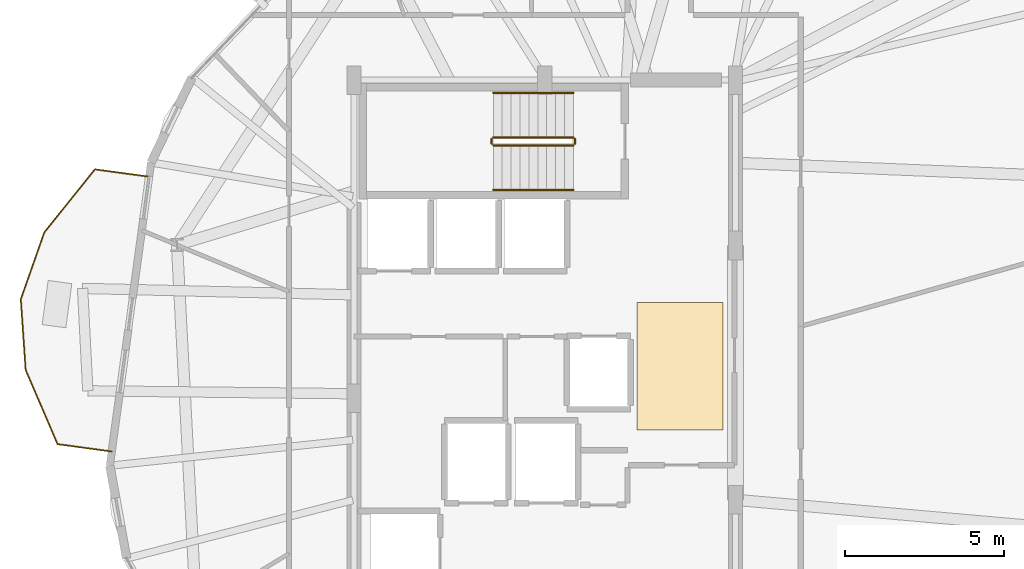
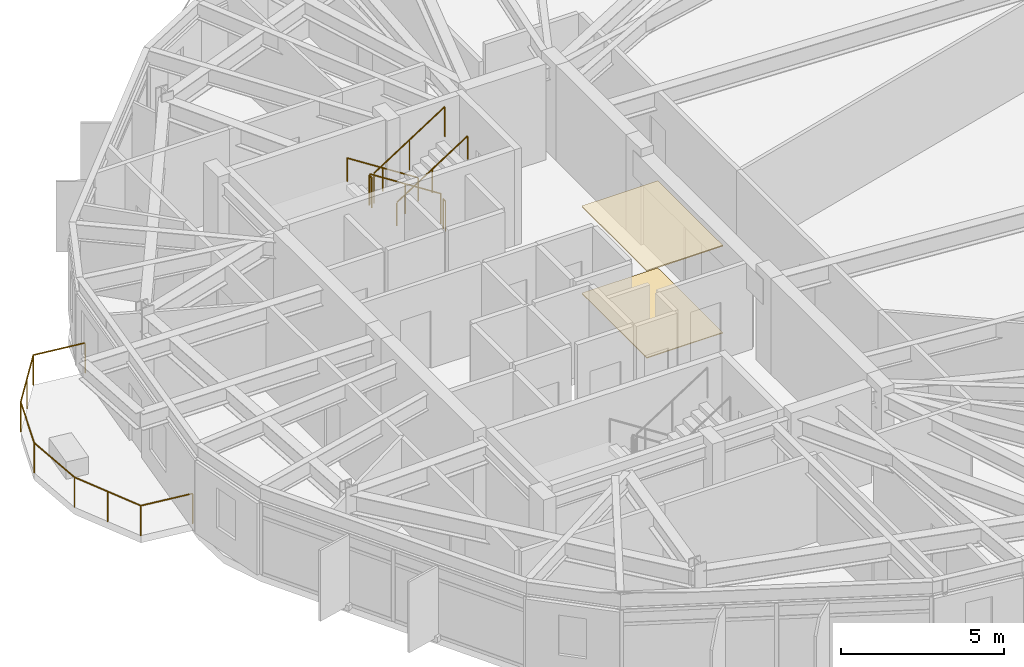
# One storey, part 26 of 27: 7 railings, 2 coverings.
"""IFC4 building model written with IfcOpenShell, lengths in metres."""

import ifcopenshell
import ifcopenshell.guid

model = None  # the IFC model being written
_history = None  # IfcOwnerHistory: only IFC2X3 demands one
_inside = {}  # id of a spatial element -> (the spatial element, [elements in it])
_under = {}  # id of a project, library or spatial element -> (it, [spatial elements below it])
_declared = {}  # id of a project -> (the project, [libraries it declares])
_typed = {}  # id of a type object -> (the type object, [elements of that type])
_made_of = {}  # id of a material, layer set ... -> (it, [elements and type objects made of it])


def new_model(schema):
    """Start an empty IFC model of exactly this schema.

    Asked for "IFC4X3", IfcOpenShell would pick the latest addendum, in which some entities
    have other attributes; the version numbers below select the first issue.
    IFC2X3 requires an IfcOwnerHistory on every rooted entity: one is made here for all.
    """
    global model, _history
    if schema == "IFC4X3":
        model = ifcopenshell.file(schema_version=(4, 3, 0, 0))
    else:
        model = ifcopenshell.file(schema=schema)
    _inside.clear()
    _under.clear()
    _declared.clear()
    _typed.clear()
    _made_of.clear()
    _history = None
    if model.schema == "IFC2X3":
        org = make("IfcOrganization", Name="unknown")
        user = make(
            "IfcPersonAndOrganization",
            ThePerson=make("IfcPerson", FamilyName="unknown"),
            TheOrganization=org,
        )
        app = make(
            "IfcApplication",
            ApplicationDeveloper=org,
            Version="unknown",
            ApplicationFullName="unknown",
            ApplicationIdentifier="unknown",
        )
        _history = make(
            "IfcOwnerHistory",
            OwningUser=user,
            OwningApplication=app,
            ChangeAction="ADDED",
            CreationDate=0,
        )
    return model


def make(cls, **values):
    """One entity of the class cls with the attributes given. An attribute that is None is left unset."""
    return model.create_entity(
        cls, **{name: value for name, value in values.items() if value is not None}
    )


def rooted(cls, **values):
    """An entity with a GlobalId (a new one), such as an element, a storey or a relation."""
    return make(cls, GlobalId=ifcopenshell.guid.new(), OwnerHistory=_history, **values)


def si_unit(unit_type, name, prefix=None):
    """IfcSIUnit, for example si_unit("LENGTHUNIT", "METRE", prefix="MILLI")."""
    return make("IfcSIUnit", UnitType=unit_type, Prefix=prefix, Name=name)


def assignment(units):
    """IfcUnitAssignment: the units of a project."""
    return None if units is None else make("IfcUnitAssignment", Units=units)


def point(xyz):
    """IfcCartesianPoint."""
    return None if xyz is None else make("IfcCartesianPoint", Coordinates=xyz)


def direction(xyz):
    """IfcDirection."""
    return None if xyz is None else make("IfcDirection", DirectionRatios=xyz)


def frame(location, z_axis=None, x_axis=None):
    """IfcAxis2Placement3D, a coordinate frame: its origin and axes. An axis left out is left unset."""
    return make(
        "IfcAxis2Placement3D",
        Location=point(location),
        Axis=direction(z_axis),
        RefDirection=direction(x_axis),
    )


def frame_2d(location, x_axis=None):
    """IfcAxis2Placement2D, a coordinate frame in the plane: its origin and x axis."""
    return make(
        "IfcAxis2Placement2D", Location=point(location), RefDirection=direction(x_axis)
    )


def origin():
    """The frame at (0, 0, 0) with its axes left unset."""
    return frame((0.0, 0.0, 0.0))


def origin_2d():
    """The frame at (0, 0) in the plane with its x axis left unset."""
    return frame_2d((0.0, 0.0))


def place(relative_to, where):
    """IfcLocalPlacement: puts the frame where relative to a parent placement (None: the world)."""
    return make(
        "IfcLocalPlacement", PlacementRelTo=relative_to, RelativePlacement=where
    )


def context(
    kind, dimensions, precision=None, world=None, true_north=None, identifier=None
):
    """IfcGeometricRepresentationContext, for example the 3D "Model" context."""
    return make(
        "IfcGeometricRepresentationContext",
        ContextIdentifier=identifier,
        ContextType=kind,
        CoordinateSpaceDimension=dimensions,
        Precision=precision,
        WorldCoordinateSystem=world,
        TrueNorth=true_north,
    )


def subcontext(parent, identifier, kind, view, scale=None):
    """IfcGeometricRepresentationSubContext, for example "Body" below "Model"."""
    return make(
        "IfcGeometricRepresentationSubContext",
        ContextIdentifier=identifier,
        ContextType=kind,
        ParentContext=parent,
        TargetScale=scale,
        TargetView=view,
    )


def project(units=None, contexts=None):
    """IfcProject with its units and contexts."""
    return rooted(
        "IfcProject",
        Name="project",
        RepresentationContexts=contexts,
        UnitsInContext=assignment(units),
    )


def spatial(cls, under=None, at=None, **own):
    """A site, building, storey or space (cls), placed at a placement, below another one or the project."""
    s = rooted(cls, ObjectPlacement=at, **own)
    if under is not None:
        _under.setdefault(under.id(), (under, []))[1].append(s)
    return s


def polyline(points):
    """IfcPolyline through the points."""
    return make("IfcPolyline", Points=[point(p) for p in points])


def profile(cls, at=None, kind="AREA", **sizes):
    """A parametric profile (cls). Its sizes go by their IFC names, for example OverallWidth=200.0."""
    return make(cls, ProfileType=kind, Position=at, **sizes)


def circle(**sizes):
    """IfcCircleProfileDef."""
    return profile("IfcCircleProfileDef", **sizes)


def outline(outer, holes=None, kind="AREA"):
    """IfcArbitraryClosedProfileDef: a profile drawn as a closed curve; with holes, ...WithVoids."""
    if holes is None:
        return make("IfcArbitraryClosedProfileDef", ProfileType=kind, OuterCurve=outer)
    return make(
        "IfcArbitraryProfileDefWithVoids",
        ProfileType=kind,
        OuterCurve=outer,
        InnerCurves=holes,
    )


def extrude(swept, where, along, depth):
    """IfcExtrudedAreaSolid: the profile swept, set in the frame where, extruded along a direction by depth."""
    return make(
        "IfcExtrudedAreaSolid",
        SweptArea=swept,
        Position=where,
        ExtrudedDirection=direction(along),
        Depth=depth,
    )


def shape(context_of_items, identifier, shape_type, items):
    """IfcShapeRepresentation: the items that make up one representation, for example the "Body"."""
    return make(
        "IfcShapeRepresentation",
        ContextOfItems=context_of_items,
        RepresentationIdentifier=identifier,
        RepresentationType=shape_type,
        Items=items,
    )


def material(Name=None, Category=None):
    """IfcMaterial."""
    return make("IfcMaterial", Name=Name, Category=Category)


def layer(
    of_material, thickness, ventilated=None, Name=None, Category=None, Priority=None
):
    """IfcMaterialLayer: one layer of a wall or slab, of a material (None: an air gap)."""
    return make(
        "IfcMaterialLayer",
        Material=of_material,
        LayerThickness=thickness,
        IsVentilated=ventilated,
        Name=Name,
        Category=Category,
        Priority=Priority,
    )


def layer_set(layers, Name=None):
    """IfcMaterialLayerSet."""
    return make("IfcMaterialLayerSet", MaterialLayers=layers, LayerSetName=Name)


def made_of(thing, what):
    """Note that an element or type object is made of a material, layer set ...; save() writes the relation."""
    if what is not None:
        _made_of.setdefault(what.id(), (what, []))[1].append(thing)
    return thing


def type_object(cls, material=None, **own):
    """A type object (cls), such as IfcWallType, which elements share."""
    return made_of(rooted(cls, **own), material)


def element(
    cls,
    number,
    at=None,
    inside=None,
    cuts=None,
    type_object=None,
    material=None,
    context=None,
    identifier="Body",
    shape_type=None,
    held_by="IfcProductDefinitionShape",
    body=None,
    shapes=None,
    **own,
):
    """One element of the class cls, such as IfcWall. Its Tag is "e" and its number.

    at: its placement. inside: the storey or other place that contains it. cuts: it is an
    opening in that element (IfcRelVoidsElement). A single representation is given by context,
    identifier, shape_type and body (its items); several are given by shapes. held_by: the class
    of the entity that holds the representations. save() writes the other relations.
    """
    e = rooted(cls, Tag="e%d" % number, ObjectPlacement=at, **own)
    if body is not None:
        shapes = [shape(context, identifier, shape_type, body)]
    if shapes is not None:
        e.Representation = make(held_by, Representations=shapes)
    if inside is not None:
        _inside.setdefault(inside.id(), (inside, []))[1].append(e)
    if cuts is not None:
        rooted(
            "IfcRelVoidsElement", RelatingBuildingElement=cuts, RelatedOpeningElement=e
        )
    if type_object is not None:
        _typed.setdefault(type_object.id(), (type_object, []))[1].append(e)
    return made_of(e, material)


def aggregate(whole, parts):
    """IfcRelAggregates: a whole, such as a stair, and the parts it consists of."""
    return rooted("IfcRelAggregates", RelatingObject=whole, RelatedObjects=parts)


def save(model, path):
    """Write the relations noted so far, then the file.

    IfcRelAggregates (storeys below a building ...), IfcRelContainedInSpatialStructure (elements
    in a storey), IfcRelDefinesByType, IfcRelAssociatesMaterial and IfcRelDeclares: one each for
    every whole, place, type object, material and project.
    """
    for whole, parts in _under.values():
        aggregate(whole, parts)
    for where, things in _inside.values():
        rooted(
            "IfcRelContainedInSpatialStructure",
            RelatedElements=things,
            RelatingStructure=where,
        )
    for kind, things in _typed.values():
        rooted("IfcRelDefinesByType", RelatedObjects=things, RelatingType=kind)
    for what, things in _made_of.values():
        rooted("IfcRelAssociatesMaterial", RelatedObjects=things, RelatingMaterial=what)
    for by, libraries in _declared.values():
        rooted("IfcRelDeclares", RelatingContext=by, RelatedDefinitions=libraries)
    model.write(path)


model = new_model("IFC4")

# Units and contexts
model_context = context("Model", 3, precision=1e-05, world=origin(), true_north=direction((0.0, 1.0)))
body_context = subcontext(model_context, "Body", "Model", "MODEL_VIEW")
ifc_project = project(units=[si_unit("LENGTHUNIT", "METRE"), si_unit("AREAUNIT", "SQUARE_METRE"), si_unit("VOLUMEUNIT", "CUBIC_METRE"), si_unit("PLANEANGLEUNIT", "RADIAN"), si_unit("MASSUNIT", "GRAM", prefix="KILO")], contexts=[model_context])

# Site, building, storey
site_placement = place(None, origin())
site = spatial("IfcSite", under=ifc_project, at=site_placement, CompositionType="ELEMENT")
building_placement = place(site_placement, origin())
building = spatial("IfcBuilding", under=site, at=building_placement, Name="Soratama Intermodal Tower", CompositionType="ELEMENT")
storey_placement = place(building_placement, frame((0.0, 0.0, 208.60009765625)))
storey = spatial("IfcBuildingStorey", under=building, at=storey_placement, Name="L52", CompositionType="ELEMENT", Elevation=208.60009765625)

# Coverings
ifc_material_1 = material(Name="Perforated mineral acoustic ceiling", Category="concrete")
ifc_layer_1 = layer(ifc_material_1, 0.0400390625)
ifc_layer_set_1 = layer_set([ifc_layer_1], Name="Perforated mineral acoustic ceiling")
covering_type_1 = type_object("IfcCoveringType", Name="CV-CEIL-ACOUSTIC", PredefinedType="CEILING", material=ifc_layer_set_1)
covering_1_placement = place(storey_placement, frame((0.0, 0.0, 3.260009765625)))
element("IfcCovering", 1, at=covering_1_placement, inside=storey, type_object=covering_type_1, Name="L52 Acoustic Ceiling", PredefinedType="CEILING", context=body_context, shape_type="SweptSolid", body=[
    extrude(outline(polyline([(41.5, 24.0), (44.199951171875, 24.0), (44.199951171875, 28.0), (41.5, 28.0), (41.5, 24.0)])), origin(), (0.0, 0.0, 1.0), 0.039794921875),
])
ifc_material_2 = material(Name="Polished Andean stone terrazzo flooring", Category="masonry")
ifc_layer_2 = layer(ifc_material_2, 0.030029296875)
ifc_layer_set_2 = layer_set([ifc_layer_2], Name="Polished Andean stone terrazzo flooring")
covering_type_2 = type_object("IfcCoveringType", Name="CV-FLOR-TERRAZZO", PredefinedType="FLOORING", material=ifc_layer_set_2)
covering_2_placement = place(storey_placement, origin())
element("IfcCovering", 2, at=covering_2_placement, inside=storey, type_object=covering_type_2, Name="L52 Lobby Terrazzo Flooring", PredefinedType="FLOORING", context=body_context, shape_type="SweptSolid", body=[
    extrude(outline(polyline([(41.5, 24.0), (44.199951171875, 24.0), (44.199951171875, 28.0), (41.5, 28.0), (41.5, 24.0)])), origin(), (0.0, 0.0, 1.0), 0.02978515625),
])

# Railings
ifc_material_3 = material(Name="Laminated glass and stainless steel balustrade", Category="steel")
railing_type_1 = type_object("IfcRailingType", Name="RL-BAL-1150", PredefinedType="BALUSTRADE", material=ifc_material_3)
railing_1_placement = place(storey_placement, frame((24.981201171875, 23.318603515625, 0.0)))
element("IfcRailing", 3, at=railing_1_placement, inside=storey, type_object=railing_type_1, Name="L52 Balcony Balustrade 3", PredefinedType="BALUSTRADE", context=body_context, shape_type="SweptSolid", body=[
    extrude(circle(Radius=0.02392578125, at=origin_2d()), frame((0.0, 0.0, 1.1259765625), z_axis=(-0.990883649297, 0.13472042739, 0.0), x_axis=(-0.13472042739, -0.990883649297, 0.0)), (0.0, 0.0, 1.0), 1.7197265625),
    extrude(circle(Radius=0.02392578125, at=origin_2d()), frame((-1.7041015625, 0.231689453125, 1.1259765625), z_axis=(-0.395088477602, 0.918643072617, 0.0), x_axis=(-0.918643072617, -0.395088477602, 0.0)), (0.0, 0.0, 1.0), 2.544677734375),
    extrude(circle(Radius=0.02392578125, at=origin_2d()), frame((-2.70947265625, 2.5693359375, 1.1259765625), z_axis=(-0.067865153543, 0.997694502809, 0.0), x_axis=(-0.997694502809, -0.067865153543, 0.0)), (0.0, 0.0, 1.0), 2.226806640625),
    extrude(circle(Radius=0.02392578125, at=origin_2d()), frame((-2.860595703125, 4.791015625, 1.1259765625), z_axis=(0.331678545525, 0.943392464693, 0.0), x_axis=(-0.943392464693, 0.331678545525, 0.0)), (0.0, 0.0, 1.0), 2.2265625),
    extrude(circle(Radius=0.02392578125, at=origin_2d()), frame((-2.1220703125, 6.8916015625, 1.1259765625), z_axis=(0.625911086254, 0.779894423691, 0.0), x_axis=(-0.779894423691, 0.625911086254, 0.0)), (0.0, 0.0, 1.0), 2.544677734375),
    extrude(circle(Radius=0.02392578125, at=origin_2d()), frame((-0.529296875, 8.876220703125, 1.1259765625), z_axis=(0.990905161174, -0.134562110413, 0.0), x_axis=(0.134562110413, 0.990905161174, 0.0)), (0.0, 0.0, 1.0), 1.719970703125),
    extrude(circle(Radius=0.02099609375, at=origin_2d()), origin(), (0.0, 0.0, 1.0), 1.101806640625),
    extrude(circle(Radius=0.02099609375, at=origin_2d()), frame((-1.7041015625, 0.231689453125, 0.0)), (0.0, 0.0, 1.0), 1.101806640625),
    extrude(circle(Radius=0.02099609375, at=origin_2d()), frame((-2.206787109375, 1.400390625, 0.0)), (0.0, 0.0, 1.0), 1.101806640625),
    extrude(circle(Radius=0.02099609375, at=origin_2d()), frame((-2.70947265625, 2.5693359375, 0.0)), (0.0, 0.0, 1.0), 1.101806640625),
    extrude(circle(Radius=0.02099609375, at=origin_2d()), frame((-2.860595703125, 4.791015625, 0.0)), (0.0, 0.0, 1.0), 1.101806640625),
    extrude(circle(Radius=0.02099609375, at=origin_2d()), frame((-2.1220703125, 6.8916015625, 0.0)), (0.0, 0.0, 1.0), 1.101806640625),
    extrude(circle(Radius=0.02099609375, at=origin_2d()), frame((-1.32568359375, 7.8837890625, 0.0)), (0.0, 0.0, 1.0), 1.101806640625),
    extrude(circle(Radius=0.02099609375, at=origin_2d()), frame((-0.529296875, 8.876220703125, 0.0)), (0.0, 0.0, 1.0), 1.101806640625),
    extrude(circle(Radius=0.02099609375, at=origin_2d()), frame((1.175048828125, 8.644775390625, 0.0)), (0.0, 0.0, 1.0), 1.101806640625),
])
ifc_material_4 = material(Name="Painted steel stair guardrail", Category="steel")
railing_type_2 = type_object("IfcRailingType", Name="RL-STAIR-GUARD", PredefinedType="GUARDRAIL", material=ifc_material_4)
railing_2_placement = place(storey_placement, frame((39.5, 33.199951171875, 0.179931640625)))
element("IfcRailing", 4, at=railing_2_placement, inside=storey, type_object=railing_type_2, Name="L52 ST-2 stair guard 1", PredefinedType="GUARDRAIL", context=body_context, shape_type="SweptSolid", body=[
    extrude(circle(Radius=0.02392578125, at=origin_2d()), frame((0.0, 0.0, 1.1259765625), z_axis=(-0.841199657755, 0.0, 0.540724639528), x_axis=(0.0, -1.0, 0.0)), (0.0, 0.0, 1.0), 2.995849609375),
    extrude(circle(Radius=0.02099609375, at=origin_2d()), origin(), (0.0, 0.0, 1.0), 1.101806640625),
    extrude(circle(Radius=0.02099609375, at=origin_2d()), frame((-1.260009765625, 0.0, 0.81005859375)), (0.0, 0.0, 1.0), 1.101806640625),
    extrude(circle(Radius=0.02099609375, at=origin_2d()), frame((-2.52001953125, 0.0, 1.619873046875)), (0.0, 0.0, 1.0), 1.101806640625),
])
railing_3_placement = place(storey_placement, frame((36.929931640625, 33.14990234375, 1.7998046875)))
element("IfcRailing", 5, at=railing_3_placement, inside=storey, type_object=railing_type_2, Name="L52 ST-2 stair guard 2", PredefinedType="GUARDRAIL", context=body_context, shape_type="SweptSolid", body=[
    extrude(circle(Radius=0.02392578125, at=origin_2d()), frame((0.0, 0.0, 1.1259765625), z_axis=(0.0, -1.0, 0.0), x_axis=(1.0, 0.0, 0.0)), (0.0, 0.0, 1.0), 0.14990234375),
    extrude(circle(Radius=0.02099609375, at=origin_2d()), origin(), (0.0, 0.0, 1.0), 1.101806640625),
    extrude(circle(Radius=0.02099609375, at=origin_2d()), frame((0.0, -0.14990234375, 0.0)), (0.0, 0.0, 1.0), 1.101806640625),
])
railing_4_placement = place(storey_placement, frame((36.97998046875, 32.949951171875, 1.97998046875)))
element("IfcRailing", 6, at=railing_4_placement, inside=storey, type_object=railing_type_2, Name="L52 ST-2 stair guard 3", PredefinedType="GUARDRAIL", context=body_context, shape_type="SweptSolid", body=[
    extrude(circle(Radius=0.02392578125, at=origin_2d()), frame((0.0, 0.0, 1.1259765625), z_axis=(0.841199657755, 0.0, 0.540724639528), x_axis=(0.0, 1.0, 0.0)), (0.0, 0.0, 1.0), 2.995849609375),
    extrude(circle(Radius=0.02099609375, at=origin_2d()), origin(), (0.0, 0.0, 1.0), 1.101806640625),
    extrude(circle(Radius=0.02099609375, at=origin_2d()), frame((1.260009765625, 0.0, 0.81005859375)), (0.0, 0.0, 1.0), 1.101806640625),
    extrude(circle(Radius=0.02099609375, at=origin_2d()), frame((2.52001953125, 0.0, 1.619873046875)), (0.0, 0.0, 1.0), 1.101806640625),
])
railing_5_placement = place(storey_placement, frame((39.550048828125, 33.14990234375, 0.0)))
element("IfcRailing", 7, at=railing_5_placement, inside=storey, type_object=railing_type_2, Name="L52 ST-2 stair guard 4", PredefinedType="GUARDRAIL", context=body_context, shape_type="SweptSolid", body=[
    extrude(circle(Radius=0.02392578125, at=origin_2d()), frame((0.0, 0.0, 1.1259765625), z_axis=(0.0, -1.0, 0.0), x_axis=(1.0, 0.0, 0.0)), (0.0, 0.0, 1.0), 0.14990234375),
    extrude(circle(Radius=0.02099609375, at=origin_2d()), origin(), (0.0, 0.0, 1.0), 1.101806640625),
    extrude(circle(Radius=0.02099609375, at=origin_2d()), frame((0.0, -0.14990234375, 0.0)), (0.0, 0.0, 1.0), 1.101806640625),
])
ifc_material_5 = material(Name="Brushed stainless steel handrail", Category="steel")
railing_type_3 = type_object("IfcRailingType", Name="RL-STAIR-HAND", PredefinedType="HANDRAIL", material=ifc_material_5)
railing_6_placement = place(storey_placement, frame((39.5, 34.60009765625, 0.179931640625)))
element("IfcRailing", 8, at=railing_6_placement, inside=storey, type_object=railing_type_3, Name="L52 ST-2 stair handrail 1", PredefinedType="HANDRAIL", context=body_context, shape_type="SweptSolid", body=[
    extrude(circle(Radius=0.02392578125, at=origin_2d()), frame((0.0, 0.0, 0.8759765625), z_axis=(-0.841199657755, 0.0, 0.540724639528), x_axis=(0.0, -1.0, 0.0)), (0.0, 0.0, 1.0), 2.995849609375),
    extrude(circle(Radius=0.02099609375, at=origin_2d()), origin(), (0.0, 0.0, 1.0), 0.851806640625),
    extrude(circle(Radius=0.02099609375, at=origin_2d()), frame((-1.260009765625, 0.0, 0.81005859375)), (0.0, 0.0, 1.0), 0.851806640625),
    extrude(circle(Radius=0.02099609375, at=origin_2d()), frame((-2.52001953125, 0.0, 1.619873046875)), (0.0, 0.0, 1.0), 0.851806640625),
])
railing_7_placement = place(storey_placement, frame((36.97998046875, 31.550048828125, 1.97998046875)))
element("IfcRailing", 9, at=railing_7_placement, inside=storey, type_object=railing_type_3, Name="L52 ST-2 stair handrail 2", PredefinedType="HANDRAIL", context=body_context, shape_type="SweptSolid", body=[
    extrude(circle(Radius=0.02392578125, at=origin_2d()), frame((0.0, 0.0, 0.8759765625), z_axis=(0.841199657755, 0.0, 0.540724639528), x_axis=(0.0, 1.0, 0.0)), (0.0, 0.0, 1.0), 2.995849609375),
    extrude(circle(Radius=0.02099609375, at=origin_2d()), origin(), (0.0, 0.0, 1.0), 0.851806640625),
    extrude(circle(Radius=0.02099609375, at=origin_2d()), frame((1.260009765625, 0.0, 0.81005859375)), (0.0, 0.0, 1.0), 0.851806640625),
    extrude(circle(Radius=0.02099609375, at=origin_2d()), frame((2.52001953125, 0.0, 1.619873046875)), (0.0, 0.0, 1.0), 0.851806640625),
])

save(model, "model.ifc")
